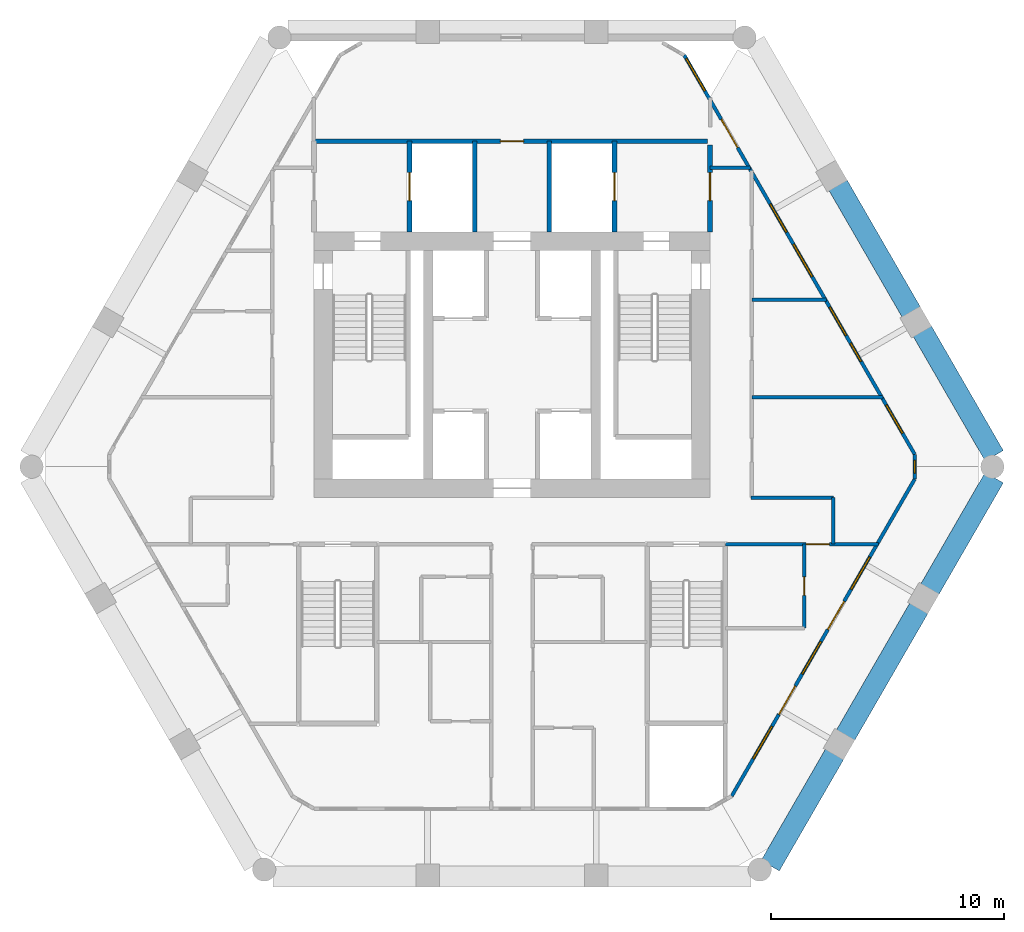
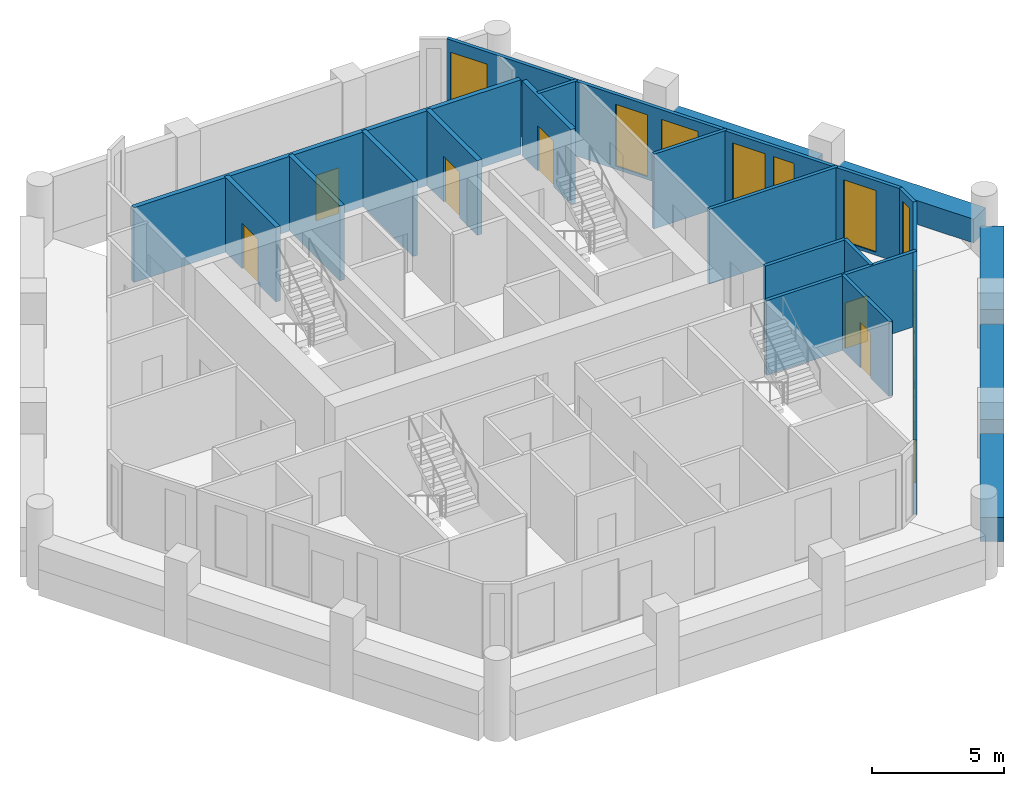
# One storey, part 5 of 7: 21 walls, 10 windows, 9 doors, 19 openings.
"""IFC4 building model written with IfcOpenShell, lengths in metres."""

from ifc_helpers import new_model, si_unit, direction, frame, frame_2d, origin, place, context, subcontext, project, spatial, rectangle, extrude, material, layer, layer_set, type_object, element, fill, save


model = new_model("IFC4")

# Units and contexts
model_context = context("Model", 3, precision=1e-05, world=origin(), true_north=direction((0.0, 1.0)))
body_context = subcontext(model_context, "Body", "Model", "MODEL_VIEW")
ifc_project = project(units=[si_unit("LENGTHUNIT", "METRE"), si_unit("AREAUNIT", "SQUARE_METRE"), si_unit("VOLUMEUNIT", "CUBIC_METRE"), si_unit("PLANEANGLEUNIT", "RADIAN"), si_unit("MASSUNIT", "GRAM", prefix="KILO")], contexts=[model_context])

# Site, building, storey
site_placement = place(None, origin())
site = spatial("IfcSite", under=ifc_project, at=site_placement, CompositionType="ELEMENT")
building_placement = place(site_placement, origin())
building = spatial("IfcBuilding", under=site, at=building_placement, Name="Ostrander Bayou Hotel Tower", CompositionType="ELEMENT")
storey_placement = place(building_placement, frame((0.0, 0.0, 168.25)))
storey = spatial("IfcBuildingStorey", under=building, at=storey_placement, Name="L41", CompositionType="ELEMENT", Elevation=168.25)

# Wall, openings, doors, windows
ifc_material_1 = material(Name="Aluminium framed insulated wall", Category="aluminium")
ifc_layer_1 = layer(ifc_material_1, 0.14990234375)
ifc_layer_set_1 = layer_set([ifc_layer_1], Name="GW1 glass-line wall 150 mm")
wall_type_1 = type_object("IfcWallType", Name="GW1 glass-line wall 150 mm", PredefinedType="SOLIDWALL", material=ifc_layer_set_1)
wall_1_placement = place(storey_placement, frame((9.430419921875, -14.51611328125, 0.0), z_axis=(0.0, 0.0, 1.0), x_axis=(0.500004460396, 0.866022828558, 0.0)))
wall_1 = element("IfcWall", 1, at=wall_1_placement, inside=storey, type_object=wall_type_1, Name="GW1 L41 SE 1", PredefinedType="SOLIDWALL", context=body_context, shape_type="SweptSolid", body=[
    extrude(rectangle(XDim=15.712158203125, YDim=0.14990234375, at=frame_2d((7.85595703125, 0.0))), origin(), (0.0, 0.0, 1.0), 3.449951171875),
])
opening_1_placement = place(wall_1_placement, frame((1.856201171875, 0.0, 0.14990234375)))
opening_1 = element("IfcOpeningElement", 2, at=opening_1_placement, cuts=wall_1, Name="Opening W3", PredefinedType="OPENING", context=body_context, shape_type="SweptSolid", body=[
    extrude(rectangle(XDim=1.60009765625, YDim=2.85009765625, at=frame_2d((0.800048828125, 1.425048828125))), frame((0.0, 0.074951171875, 0.0), z_axis=(0.0, -1.0, 0.0), x_axis=(1.0, 0.0, 0.0)), (0.0, 0.0, 1.0), 0.14990234375),
])
opening_2_placement = place(wall_1_placement, frame((4.05615234375, 0.0, 0.0)))
opening_2 = element("IfcOpeningElement", 3, at=opening_2_placement, cuts=wall_1, Name="Opening T41-804", PredefinedType="OPENING", context=body_context, shape_type="SweptSolid", body=[
    extrude(rectangle(XDim=1.39990234375, YDim=2.39990234375, at=frame_2d((0.699951171875, 1.199951171875))), frame((0.0, 0.074951171875, 0.0), z_axis=(0.0, -1.0, 0.0), x_axis=(1.0, 0.0, 0.0)), (0.0, 0.0, 1.0), 0.14990234375),
])
opening_3_placement = place(wall_1_placement, frame((6.05615234375, 0.0, 0.14990234375)))
opening_3 = element("IfcOpeningElement", 4, at=opening_3_placement, cuts=wall_1, Name="Opening W3", PredefinedType="OPENING", context=body_context, shape_type="SweptSolid", body=[
    extrude(rectangle(XDim=1.60009765625, YDim=2.85009765625, at=frame_2d((0.800048828125, 1.425048828125))), frame((0.0, 0.074951171875, 0.0), z_axis=(0.0, -1.0, 0.0), x_axis=(1.0, 0.0, 0.0)), (0.0, 0.0, 1.0), 0.14990234375),
])
opening_4_placement = place(wall_1_placement, frame((8.256103515625, 0.0, 0.0)))
opening_4 = element("IfcOpeningElement", 5, at=opening_4_placement, cuts=wall_1, Name="Opening T41-805", PredefinedType="OPENING", context=body_context, shape_type="SweptSolid", body=[
    extrude(rectangle(XDim=1.39990234375, YDim=2.39990234375, at=frame_2d((0.699951171875, 1.199951171875))), frame((0.0, 0.074951171875, 0.0), z_axis=(0.0, -1.0, 0.0), x_axis=(1.0, 0.0, 0.0)), (0.0, 0.0, 1.0), 0.14990234375),
])
opening_5_placement = place(wall_1_placement, frame((10.256103515625, 0.0, 0.14990234375)))
opening_5 = element("IfcOpeningElement", 6, at=opening_5_placement, cuts=wall_1, Name="Opening W3", PredefinedType="OPENING", context=body_context, shape_type="SweptSolid", body=[
    extrude(rectangle(XDim=1.60009765625, YDim=2.85009765625, at=frame_2d((0.800048828125, 1.425048828125))), frame((0.0, 0.074951171875, 0.0), z_axis=(0.0, -1.0, 0.0), x_axis=(1.0, 0.0, 0.0)), (0.0, 0.0, 1.0), 0.14990234375),
])
ifc_material_2 = material(Name="Aluminium and clear glass", Category="aluminium")
door_type_1 = type_object("IfcDoorType", Name="SD3 sliding glass door 1400 mm, zone 3", OperationType="SLIDING_TO_LEFT", PredefinedType="DOOR", material=ifc_material_2)
door_1_placement = place(opening_2_placement, origin())
door_1 = element("IfcDoor", 7, at=door_1_placement, inside=storey, type_object=door_type_1, Name="SD3 L41 SE 1", OperationType="SLIDING_TO_LEFT", OverallHeight=2.39990234375, OverallWidth=1.39990234375, PredefinedType="DOOR", context=body_context, shape_type="SweptSolid", body=[
    extrude(rectangle(XDim=1.39990234375, YDim=2.39990234375, at=frame_2d((0.699951171875, 1.199951171875))), frame((0.0, 0.02490234375, 0.0), z_axis=(0.0, -1.0, 0.0), x_axis=(1.0, 0.0, 0.0)), (0.0, 0.0, 1.0), 0.050048828125),
])
fill(opening_2, door_1)
door_2_placement = place(opening_4_placement, origin())
door_2 = element("IfcDoor", 8, at=door_2_placement, inside=storey, type_object=door_type_1, Name="SD3 L41 SE 2", OperationType="SLIDING_TO_RIGHT", OverallHeight=2.39990234375, OverallWidth=1.39990234375, PredefinedType="DOOR", context=body_context, shape_type="SweptSolid", body=[
    extrude(rectangle(XDim=1.39990234375, YDim=2.39990234375, at=frame_2d((0.699951171875, 1.199951171875))), frame((0.0, 0.02490234375, 0.0), z_axis=(0.0, -1.0, 0.0), x_axis=(1.0, 0.0, 0.0)), (0.0, 0.0, 1.0), 0.050048828125),
])
fill(opening_4, door_2)
ifc_material_3 = material(Name="Aluminium and clear glass", Category="aluminium")
window_type_1 = type_object("IfcWindowType", Name="W3 fixed window 1600 mm, zone 3", PartitioningType="SINGLE_PANEL", PredefinedType="WINDOW", material=ifc_material_3)
window_1_placement = place(opening_1_placement, origin())
window_1 = element("IfcWindow", 9, at=window_1_placement, inside=storey, type_object=window_type_1, Name="W3 L41 SE 1", OverallHeight=2.85009765625, OverallWidth=1.60009765625, PartitioningType="SINGLE_PANEL", PredefinedType="WINDOW", context=body_context, shape_type="SweptSolid", body=[
    extrude(rectangle(XDim=1.60009765625, YDim=2.85009765625, at=frame_2d((0.800048828125, 1.425048828125))), frame((0.0, 0.030029296875, 0.0), z_axis=(0.0, -1.0, 0.0), x_axis=(1.0, 0.0, 0.0)), (0.0, 0.0, 1.0), 0.06005859375),
])
fill(opening_1, window_1)
window_2_placement = place(opening_3_placement, origin())
window_2 = element("IfcWindow", 10, at=window_2_placement, inside=storey, type_object=window_type_1, Name="W3 L41 SE 2", OverallHeight=2.85009765625, OverallWidth=1.60009765625, PartitioningType="SINGLE_PANEL", PredefinedType="WINDOW", context=body_context, shape_type="SweptSolid", body=[
    extrude(rectangle(XDim=1.60009765625, YDim=2.85009765625, at=frame_2d((0.800048828125, 1.425048828125))), frame((0.0, 0.030029296875, 0.0), z_axis=(0.0, -1.0, 0.0), x_axis=(1.0, 0.0, 0.0)), (0.0, 0.0, 1.0), 0.06005859375),
])
fill(opening_3, window_2)
window_3_placement = place(opening_5_placement, origin())
window_3 = element("IfcWindow", 11, at=window_3_placement, inside=storey, type_object=window_type_1, Name="W3 L41 SE 3", OverallHeight=2.85009765625, OverallWidth=1.60009765625, PartitioningType="SINGLE_PANEL", PredefinedType="WINDOW", context=body_context, shape_type="SweptSolid", body=[
    extrude(rectangle(XDim=1.60009765625, YDim=2.85009765625, at=frame_2d((0.800048828125, 1.425048828125))), frame((0.0, 0.030029296875, 0.0), z_axis=(0.0, -1.0, 0.0), x_axis=(1.0, 0.0, 0.0)), (0.0, 0.0, 1.0), 0.06005859375),
])
fill(opening_5, window_3)

# Wall, openings, door, windows
wall_2_placement = place(storey_placement, frame((17.28662109375, 0.156005859375, 0.0), z_axis=(0.0, 0.0, 1.0), x_axis=(-0.500001917853, 0.866024296509, 0.0)))
wall_2 = element("IfcWall", 12, at=wall_2_placement, inside=storey, type_object=wall_type_1, Name="GW1 L41 NE 1", PredefinedType="SOLIDWALL", context=body_context, shape_type="SweptSolid", body=[
    extrude(rectangle(XDim=19.78759765625, YDim=0.14990234375, at=frame_2d((9.893798828125, 0.0))), origin(), (0.0, 0.0, 1.0), 3.449951171875),
])
opening_6_placement = place(wall_2_placement, frame((1.046142578125, 0.0, 0.14990234375)))
opening_6 = element("IfcOpeningElement", 13, at=opening_6_placement, cuts=wall_2, Name="Opening W13", PredefinedType="OPENING", context=body_context, shape_type="SweptSolid", body=[
    extrude(rectangle(XDim=1.39990234375, YDim=2.85009765625, at=frame_2d((0.699951171875, 1.425048828125))), frame((0.0, 0.074951171875, 0.0), z_axis=(0.0, -1.0, 0.0), x_axis=(1.0, 0.0, 0.0)), (0.0, 0.0, 1.0), 0.14990234375),
])
opening_7_placement = place(wall_2_placement, frame((4.608154296875, 0.0, 0.14990234375)))
opening_7 = element("IfcOpeningElement", 14, at=opening_7_placement, cuts=wall_2, Name="Opening W17", PredefinedType="OPENING", context=body_context, shape_type="SweptSolid", body=[
    extrude(rectangle(XDim=0.89990234375, YDim=2.85009765625, at=frame_2d((0.449951171875, 1.425048828125))), frame((0.0, 0.074951171875, 0.0), z_axis=(0.0, -1.0, 0.0), x_axis=(1.0, 0.0, 0.0)), (0.0, 0.0, 1.0), 0.14990234375),
])
opening_8_placement = place(wall_2_placement, frame((5.8955078125, 0.0, 0.14990234375)))
opening_8 = element("IfcOpeningElement", 15, at=opening_8_placement, cuts=wall_2, Name="Opening W13", PredefinedType="OPENING", context=body_context, shape_type="SweptSolid", body=[
    extrude(rectangle(XDim=1.39990234375, YDim=2.85009765625, at=frame_2d((0.699951171875, 1.425048828125))), frame((0.0, 0.074951171875, 0.0), z_axis=(0.0, -1.0, 0.0), x_axis=(1.0, 0.0, 0.0)), (0.0, 0.0, 1.0), 0.14990234375),
])
opening_9_placement = place(wall_2_placement, frame((8.80810546875, 0.0, 0.14990234375)))
opening_9 = element("IfcOpeningElement", 16, at=opening_9_placement, cuts=wall_2, Name="Opening W3", PredefinedType="OPENING", context=body_context, shape_type="SweptSolid", body=[
    extrude(rectangle(XDim=1.60009765625, YDim=2.85009765625, at=frame_2d((0.800048828125, 1.425048828125))), frame((0.0, 0.074951171875, 0.0), z_axis=(0.0, -1.0, 0.0), x_axis=(1.0, 0.0, 0.0)), (0.0, 0.0, 1.0), 0.14990234375),
])
opening_10_placement = place(wall_2_placement, frame((11.008056640625, 0.0, 0.14990234375)))
opening_10 = element("IfcOpeningElement", 17, at=opening_10_placement, cuts=wall_2, Name="Opening W13", PredefinedType="OPENING", context=body_context, shape_type="SweptSolid", body=[
    extrude(rectangle(XDim=1.39990234375, YDim=2.85009765625, at=frame_2d((0.699951171875, 1.425048828125))), frame((0.0, 0.074951171875, 0.0), z_axis=(0.0, -1.0, 0.0), x_axis=(1.0, 0.0, 0.0)), (0.0, 0.0, 1.0), 0.14990234375),
])
opening_11_placement = place(wall_2_placement, frame((15.2080078125, 0.0, 0.0)))
opening_11 = element("IfcOpeningElement", 18, at=opening_11_placement, cuts=wall_2, Name="Opening T41-806", PredefinedType="OPENING", context=body_context, shape_type="SweptSolid", body=[
    extrude(rectangle(XDim=1.39990234375, YDim=2.39990234375, at=frame_2d((0.699951171875, 1.199951171875))), frame((0.0, 0.074951171875, 0.0), z_axis=(0.0, -1.0, 0.0), x_axis=(1.0, 0.0, 0.0)), (0.0, 0.0, 1.0), 0.14990234375),
])
opening_12_placement = place(wall_2_placement, frame((18.019287109375, 0.0, 0.14990234375)))
opening_12 = element("IfcOpeningElement", 19, at=opening_12_placement, cuts=wall_2, Name="Opening W3", PredefinedType="OPENING", context=body_context, shape_type="SweptSolid", body=[
    extrude(rectangle(XDim=1.60009765625, YDim=2.72998046875, at=frame_2d((0.800048828125, 1.364990234375))), frame((0.0, 0.074951171875, 0.0), z_axis=(0.0, -1.0, 0.0), x_axis=(1.0, 0.0, 0.0)), (0.0, 0.0, 1.0), 0.14990234375),
])
door_3_placement = place(opening_11_placement, origin())
door_3 = element("IfcDoor", 20, at=door_3_placement, inside=storey, type_object=door_type_1, Name="SD3 L41 NE 4", OperationType="SLIDING_TO_RIGHT", OverallHeight=2.39990234375, OverallWidth=1.39990234375, PredefinedType="DOOR", context=body_context, shape_type="SweptSolid", body=[
    extrude(rectangle(XDim=1.39990234375, YDim=2.39990234375, at=frame_2d((0.699951171875, 1.199951171875))), frame((0.0, 0.02490234375, 0.0), z_axis=(0.0, -1.0, 0.0), x_axis=(1.0, 0.0, 0.0)), (0.0, 0.0, 1.0), 0.050048828125),
])
fill(opening_11, door_3)
ifc_material_4 = material(Name="Aluminium and clear glass", Category="aluminium")
window_type_2 = type_object("IfcWindowType", Name="W13 fixed window 1400 mm, bath bay, zone 3", PartitioningType="SINGLE_PANEL", PredefinedType="WINDOW", material=ifc_material_4)
window_4_placement = place(opening_6_placement, origin())
window_4 = element("IfcWindow", 21, at=window_4_placement, inside=storey, type_object=window_type_2, Name="W13 L41 NE 1", OverallHeight=2.85009765625, OverallWidth=1.39990234375, PartitioningType="SINGLE_PANEL", PredefinedType="WINDOW", context=body_context, shape_type="SweptSolid", body=[
    extrude(rectangle(XDim=1.39990234375, YDim=2.85009765625, at=frame_2d((0.699951171875, 1.425048828125))), frame((0.0, 0.030029296875, 0.0), z_axis=(0.0, -1.0, 0.0), x_axis=(1.0, 0.0, 0.0)), (0.0, 0.0, 1.0), 0.06005859375),
])
fill(opening_6, window_4)
window_5_placement = place(opening_8_placement, origin())
window_5 = element("IfcWindow", 22, at=window_5_placement, inside=storey, type_object=window_type_2, Name="W13 L41 NE 2", OverallHeight=2.85009765625, OverallWidth=1.39990234375, PartitioningType="SINGLE_PANEL", PredefinedType="WINDOW", context=body_context, shape_type="SweptSolid", body=[
    extrude(rectangle(XDim=1.39990234375, YDim=2.85009765625, at=frame_2d((0.699951171875, 1.425048828125))), frame((0.0, 0.030029296875, 0.0), z_axis=(0.0, -1.0, 0.0), x_axis=(1.0, 0.0, 0.0)), (0.0, 0.0, 1.0), 0.06005859375),
])
fill(opening_8, window_5)
window_6_placement = place(opening_10_placement, origin())
window_6 = element("IfcWindow", 23, at=window_6_placement, inside=storey, type_object=window_type_2, Name="W13 L41 NE 3", OverallHeight=2.85009765625, OverallWidth=1.39990234375, PartitioningType="SINGLE_PANEL", PredefinedType="WINDOW", context=body_context, shape_type="SweptSolid", body=[
    extrude(rectangle(XDim=1.39990234375, YDim=2.85009765625, at=frame_2d((0.699951171875, 1.425048828125))), frame((0.0, 0.030029296875, 0.0), z_axis=(0.0, -1.0, 0.0), x_axis=(1.0, 0.0, 0.0)), (0.0, 0.0, 1.0), 0.06005859375),
])
fill(opening_10, window_6)
ifc_material_5 = material(Name="Aluminium and clear glass", Category="aluminium")
window_type_3 = type_object("IfcWindowType", Name="W17 window 900 mm, zone 3", PartitioningType="SINGLE_PANEL", PredefinedType="WINDOW", material=ifc_material_5)
window_7_placement = place(opening_7_placement, origin())
window_7 = element("IfcWindow", 24, at=window_7_placement, inside=storey, type_object=window_type_3, Name="W17 L41 NE 2", OverallHeight=2.85009765625, OverallWidth=0.89990234375, PartitioningType="SINGLE_PANEL", PredefinedType="WINDOW", context=body_context, shape_type="SweptSolid", body=[
    extrude(rectangle(XDim=0.89990234375, YDim=2.85009765625, at=frame_2d((0.449951171875, 1.425048828125))), frame((0.0, 0.030029296875, 0.0), z_axis=(0.0, -1.0, 0.0), x_axis=(1.0, 0.0, 0.0)), (0.0, 0.0, 1.0), 0.06005859375),
])
fill(opening_7, window_7)
window_8_placement = place(opening_9_placement, origin())
window_8 = element("IfcWindow", 25, at=window_8_placement, inside=storey, type_object=window_type_1, Name="W3 L41 NE 3", OverallHeight=2.85009765625, OverallWidth=1.60009765625, PartitioningType="SINGLE_PANEL", PredefinedType="WINDOW", context=body_context, shape_type="SweptSolid", body=[
    extrude(rectangle(XDim=1.60009765625, YDim=2.85009765625, at=frame_2d((0.800048828125, 1.425048828125))), frame((0.0, 0.030029296875, 0.0), z_axis=(0.0, -1.0, 0.0), x_axis=(1.0, 0.0, 0.0)), (0.0, 0.0, 1.0), 0.06005859375),
])
fill(opening_9, window_8)
window_9_placement = place(opening_12_placement, origin())
window_9 = element("IfcWindow", 26, at=window_9_placement, inside=storey, type_object=window_type_1, Name="W3 L41 NE E22", OverallHeight=2.72998046875, OverallWidth=1.60009765625, PartitioningType="SINGLE_PANEL", PredefinedType="WINDOW", context=body_context, shape_type="SweptSolid", body=[
    extrude(rectangle(XDim=1.60009765625, YDim=2.72998046875, at=frame_2d((0.800048828125, 1.364990234375))), frame((0.0, 0.030029296875, 0.0), z_axis=(0.0, -1.0, 0.0), x_axis=(1.0, 0.0, 0.0)), (0.0, 0.0, 1.0), 0.06005859375),
])
fill(opening_12, window_9)

# Wall, opening, window
wall_3_placement = place(storey_placement, frame((17.28662109375, -0.908935546875, 0.0), z_axis=(0.0, 0.0, 1.0), x_axis=(0.0, 1.0, 0.0)))
wall_3 = element("IfcWall", 27, at=wall_3_placement, inside=storey, type_object=wall_type_1, Name="GW1 L41 corner 5", PredefinedType="SOLIDWALL", context=body_context, shape_type="SweptSolid", body=[
    extrude(rectangle(XDim=1.06494140625, YDim=0.14990234375, at=frame_2d((0.532470703125, 0.0))), origin(), (0.0, 0.0, 1.0), 3.449951171875),
])
opening_13_placement = place(wall_3_placement, frame((0.257568359375, 0.0, 0.14990234375)))
opening_13 = element("IfcOpeningElement", 28, at=opening_13_placement, cuts=wall_3, Name="Opening W19", PredefinedType="OPENING", context=body_context, shape_type="SweptSolid", body=[
    extrude(rectangle(XDim=0.550048828125, YDim=2.85009765625, at=frame_2d((0.27490234375, 1.425048828125))), frame((0.0, 0.074951171875, 0.0), z_axis=(0.0, -1.0, 0.0), x_axis=(1.0, 0.0, 0.0)), (0.0, 0.0, 1.0), 0.14990234375),
])
ifc_material_6 = material(Name="Aluminium and clear glass", Category="aluminium")
window_type_4 = type_object("IfcWindowType", Name="W19 corner window 550 mm", PartitioningType="SINGLE_PANEL", PredefinedType="WINDOW", material=ifc_material_6)
window_10_placement = place(opening_13_placement, origin())
window_10 = element("IfcWindow", 29, at=window_10_placement, inside=storey, type_object=window_type_4, Name="W19 L41 corner 5", OverallHeight=2.85009765625, OverallWidth=0.550048828125, PartitioningType="SINGLE_PANEL", PredefinedType="WINDOW", context=body_context, shape_type="SweptSolid", body=[
    extrude(rectangle(XDim=0.550048828125, YDim=2.85009765625, at=frame_2d((0.27490234375, 1.425048828125))), frame((0.0, 0.030029296875, 0.0), z_axis=(0.0, -1.0, 0.0), x_axis=(1.0, 0.0, 0.0)), (0.0, 0.0, 1.0), 0.06005859375),
])
fill(opening_13, window_10)

# Walls
ifc_material_7 = material(Name="Concrete f'c 40 MPa", Category="concrete")
ifc_layer_2 = layer(ifc_material_7, 0.89990234375)
ifc_layer_set_2 = layer_set([ifc_layer_2], Name="PA1 stone-faced parapet 900 mm")
wall_type_2 = type_object("IfcWallType", Name="PA1 stone-faced parapet 900 mm", PredefinedType="PARAPET", material=ifc_layer_set_2)
wall_4_placement = place(storey_placement, frame((20.7001953125, 0.09326171875, 0.0), z_axis=(0.0, 0.0, 1.0), x_axis=(-0.500000533151, 0.866025095969, 0.0)))
element("IfcWall", 30, at=wall_4_placement, inside=storey, type_object=wall_type_2, Name="PA1 L41 NE-1", PredefinedType="PARAPET", context=body_context, shape_type="SweptSolid", body=[
    extrude(rectangle(XDim=6.18115234375, YDim=0.89990234375, at=frame_2d((3.090576171875, 0.0))), origin(), (0.0, 0.0, 1.0), 1.10009765625),
])
wall_5_placement = place(storey_placement, frame((17.1396484375, 6.260498046875, 0.0), z_axis=(0.0, 0.0, 1.0), x_axis=(-0.499984268907, 0.866034485945, 0.0)))
element("IfcWall", 31, at=wall_5_placement, inside=storey, type_object=wall_type_2, Name="PA1 L41 NE-2", PredefinedType="PARAPET", context=body_context, shape_type="SweptSolid", body=[
    extrude(rectangle(XDim=6.296142578125, YDim=0.89990234375, at=frame_2d((3.14794921875, 0.0))), origin(), (0.0, 0.0, 1.0), 1.10009765625),
])
ifc_material_8 = material(Name="Limestone masonry", Category="masonry")
ifc_layer_3 = layer(ifc_material_8, 0.89990234375)
ifc_layer_set_3 = layer_set([ifc_layer_3], Name="PA2 limestone parapet 900 mm")
wall_type_3 = type_object("IfcWallType", Name="PA2 limestone parapet 900 mm", PredefinedType="PARAPET", material=ifc_layer_set_3)
wall_6_placement = place(storey_placement, frame((11.0830078125, -17.50390625, 0.0), z_axis=(0.0, 0.0, 1.0), x_axis=(0.499961976493, 0.866047355554, 0.0)))
element("IfcWall", 32, at=wall_6_placement, inside=storey, type_object=wall_type_3, Name="PA2 L41 SE-1", PredefinedType="PARAPET", context=body_context, shape_type="SweptSolid", body=[
    extrude(rectangle(XDim=5.529296875, YDim=0.89990234375, at=frame_2d((2.7646484375, 0.0))), origin(), (0.0, 0.0, 1.0), 1.10009765625),
])
wall_7_placement = place(storey_placement, frame((14.3173828125, -11.9013671875, 0.0), z_axis=(0.0, 0.0, 1.0), x_axis=(0.500013351051, 0.866017695414, 0.0)))
element("IfcWall", 33, at=wall_7_placement, inside=storey, type_object=wall_type_3, Name="PA2 L41 SE-2", PredefinedType="PARAPET", context=body_context, shape_type="SweptSolid", body=[
    extrude(rectangle(XDim=6.296142578125, YDim=0.89990234375, at=frame_2d((3.14794921875, 0.0))), origin(), (0.0, 0.0, 1.0), 1.10009765625),
])
wall_8_placement = place(storey_placement, frame((17.935546875, -5.634521484375, 0.0), z_axis=(0.0, 0.0, 1.0), x_axis=(0.500014212531, 0.86601719802, 0.0)))
element("IfcWall", 34, at=wall_8_placement, inside=storey, type_object=wall_type_3, Name="PA2 L41 SE-3", PredefinedType="PARAPET", context=body_context, shape_type="SweptSolid", body=[
    extrude(rectangle(XDim=5.529052734375, YDim=0.89990234375, at=frame_2d((2.7646484375, 0.0))), origin(), (0.0, 0.0, 1.0), 1.10009765625),
])

# Wall, opening, door
ifc_material_9 = material(Name="Masonry block", Category="masonry")
ifc_layer_4 = layer(ifc_material_9, 0.199951171875)
ifc_layer_set_4 = layer_set([ifc_layer_4], Name="PT5 stair enclosure wall 200 mm masonry, 2 hour")
wall_type_4 = type_object("IfcWallType", Name="PT5 stair enclosure wall 200 mm masonry, 2 hour", PredefinedType="PARTITIONING", material=ifc_layer_set_4)
wall_9_placement = place(storey_placement, frame((-8.5, 13.60009765625, 0.0), z_axis=(0.0, 0.0, 1.0), x_axis=(1.0, 0.0, 0.0)))
wall_9 = element("IfcWall", 35, at=wall_9_placement, inside=storey, type_object=wall_type_4, Name="cs:L41:023", PredefinedType="PARTITIONING", context=body_context, shape_type="SweptSolid", body=[
    extrude(rectangle(XDim=16.898681640625, YDim=0.199951171875, at=frame_2d((8.44921875, 0.0))), origin(), (0.0, 0.0, 1.0), 3.449951171875),
])
opening_14_placement = place(wall_9_placement, frame((8.0, 0.0, 0.0)))
opening_14 = element("IfcOpeningElement", 36, at=opening_14_placement, cuts=wall_9, Name="Opening T41-017", PredefinedType="OPENING", context=body_context, shape_type="SweptSolid", body=[
    extrude(rectangle(XDim=1.0, YDim=2.10009765625, at=frame_2d((0.5, 1.050048828125))), frame((0.0, 0.10009765625, 0.0), z_axis=(0.0, -1.0, 0.0), x_axis=(1.0, 0.0, 0.0)), (0.0, 0.0, 1.0), 0.199951171875),
])
ifc_material_10 = material(Name="Timber door leaf", Category="wood")
door_type_2 = type_object("IfcDoorType", Name="D9 service door 1000 x 2100 mm, 30 minute", OperationType="SINGLE_SWING_LEFT", PredefinedType="DOOR", material=ifc_material_10)
door_4_placement = place(opening_14_placement, origin())
door_4 = element("IfcDoor", 37, at=door_4_placement, inside=storey, type_object=door_type_2, Name="dr:L41:017", OperationType="SINGLE_SWING_LEFT", OverallHeight=2.10009765625, OverallWidth=1.0, PredefinedType="DOOR", context=body_context, shape_type="SweptSolid", body=[
    extrude(rectangle(XDim=1.0, YDim=2.10009765625, at=frame_2d((0.5, 1.050048828125))), frame((0.0, 0.02490234375, 0.0), z_axis=(0.0, -1.0, 0.0), x_axis=(1.0, 0.0, 0.0)), (0.0, 0.0, 1.0), 0.050048828125),
])
fill(opening_14, door_4)

wall_10_placement = place(storey_placement, frame((8.5, 9.699951171875, 0.0), z_axis=(0.0, 0.0, 1.0), x_axis=(0.0, 1.0, 0.0)))
wall_10 = element("IfcWall", 38, at=wall_10_placement, inside=storey, type_object=wall_type_4, Name="cs:L41:025", PredefinedType="PARTITIONING", context=body_context, shape_type="SweptSolid", body=[
    extrude(rectangle(XDim=3.724853515625, YDim=0.199951171875, at=frame_2d((1.8623046875, 0.0))), origin(), (0.0, 0.0, 1.0), 3.449951171875),
])
opening_15_placement = place(wall_10_placement, frame((1.35009765625, 0.0, 0.0)))
opening_15 = element("IfcOpeningElement", 39, at=opening_15_placement, cuts=wall_10, Name="Opening T41-016", PredefinedType="OPENING", context=body_context, shape_type="SweptSolid", body=[
    extrude(rectangle(XDim=1.199951171875, YDim=2.10009765625, at=frame_2d((0.60009765625, 1.050048828125))), frame((0.0, 0.10009765625, 0.0), z_axis=(0.0, -1.0, 0.0), x_axis=(1.0, 0.0, 0.0)), (0.0, 0.0, 1.0), 0.199951171875),
])
ifc_material_11 = material(Name="Timber door leaf", Category="wood")
door_type_3 = type_object("IfcDoorType", Name="D7 lobby door 1200 x 2100 mm, 1 hour", OperationType="SINGLE_SWING_LEFT", PredefinedType="DOOR", material=ifc_material_11)
door_5_placement = place(opening_15_placement, origin())
door_5 = element("IfcDoor", 40, at=door_5_placement, inside=storey, type_object=door_type_3, Name="dr:L41:016", OperationType="SINGLE_SWING_LEFT", OverallHeight=2.10009765625, OverallWidth=1.199951171875, PredefinedType="DOOR", context=body_context, shape_type="SweptSolid", body=[
    extrude(rectangle(XDim=1.199951171875, YDim=2.10009765625, at=frame_2d((0.60009765625, 1.050048828125))), frame((0.0, 0.02490234375, 0.0), z_axis=(0.0, -1.0, 0.0), x_axis=(1.0, 0.0, 0.0)), (0.0, 0.0, 1.0), 0.050048828125),
])
fill(opening_15, door_5)

wall_11_placement = place(storey_placement, frame((-4.39990234375, 9.699951171875, 0.0), z_axis=(0.0, 0.0, 1.0), x_axis=(0.0, 1.0, 0.0)))
wall_11 = element("IfcWall", 41, at=wall_11_placement, inside=storey, type_object=wall_type_4, Name="cs:L41:026", PredefinedType="PARTITIONING", context=body_context, shape_type="SweptSolid", body=[
    extrude(rectangle(XDim=3.900146484375, YDim=0.199951171875, at=frame_2d((1.9501953125, 0.0))), origin(), (0.0, 0.0, 1.0), 3.449951171875),
])
opening_16_placement = place(wall_11_placement, frame((1.35009765625, 0.0, 0.0)))
opening_16 = element("IfcOpeningElement", 42, at=opening_16_placement, cuts=wall_11, Name="Opening T41-013", PredefinedType="OPENING", context=body_context, shape_type="SweptSolid", body=[
    extrude(rectangle(XDim=1.199951171875, YDim=2.10009765625, at=frame_2d((0.60009765625, 1.050048828125))), frame((0.0, 0.10009765625, 0.0), z_axis=(0.0, -1.0, 0.0), x_axis=(1.0, 0.0, 0.0)), (0.0, 0.0, 1.0), 0.199951171875),
])
ifc_material_12 = material(Name="Stainless steel sliding door", Category="steel")
door_type_4 = type_object("IfcDoorType", Name="LD1 lift landing door 1200 x 2100 mm", OperationType="SINGLE_SWING_LEFT", PredefinedType="DOOR", material=ifc_material_12)
door_6_placement = place(opening_16_placement, origin())
door_6 = element("IfcDoor", 43, at=door_6_placement, inside=storey, type_object=door_type_4, Name="dr:L41:013", OperationType="SLIDING_TO_LEFT", OverallHeight=2.10009765625, OverallWidth=1.199951171875, PredefinedType="DOOR", context=body_context, shape_type="SweptSolid", body=[
    extrude(rectangle(XDim=1.199951171875, YDim=2.10009765625, at=frame_2d((0.60009765625, 1.050048828125))), frame((0.0, 0.02490234375, 0.0), z_axis=(0.0, -1.0, 0.0), x_axis=(1.0, 0.0, 0.0)), (0.0, 0.0, 1.0), 0.050048828125),
])
fill(opening_16, door_6)

wall_12_placement = place(storey_placement, frame((4.39990234375, 9.699951171875, 0.0), z_axis=(0.0, 0.0, 1.0), x_axis=(0.0, 1.0, 0.0)))
wall_12 = element("IfcWall", 44, at=wall_12_placement, inside=storey, type_object=wall_type_4, Name="cs:L41:027", PredefinedType="PARTITIONING", context=body_context, shape_type="SweptSolid", body=[
    extrude(rectangle(XDim=3.900146484375, YDim=0.199951171875, at=frame_2d((1.9501953125, 0.0))), origin(), (0.0, 0.0, 1.0), 3.449951171875),
])
opening_17_placement = place(wall_12_placement, frame((1.35009765625, 0.0, 0.0)))
opening_17 = element("IfcOpeningElement", 45, at=opening_17_placement, cuts=wall_12, Name="Opening T41-015", PredefinedType="OPENING", context=body_context, shape_type="SweptSolid", body=[
    extrude(rectangle(XDim=1.199951171875, YDim=2.10009765625, at=frame_2d((0.60009765625, 1.050048828125))), frame((0.0, 0.10009765625, 0.0), z_axis=(0.0, -1.0, 0.0), x_axis=(1.0, 0.0, 0.0)), (0.0, 0.0, 1.0), 0.199951171875),
])
door_7_placement = place(opening_17_placement, origin())
door_7 = element("IfcDoor", 46, at=door_7_placement, inside=storey, type_object=door_type_4, Name="dr:L41:015", OperationType="SLIDING_TO_LEFT", OverallHeight=2.10009765625, OverallWidth=1.199951171875, PredefinedType="DOOR", context=body_context, shape_type="SweptSolid", body=[
    extrude(rectangle(XDim=1.199951171875, YDim=2.10009765625, at=frame_2d((0.60009765625, 1.050048828125))), frame((0.0, 0.02490234375, 0.0), z_axis=(0.0, -1.0, 0.0), x_axis=(1.0, 0.0, 0.0)), (0.0, 0.0, 1.0), 0.050048828125),
])
fill(opening_17, door_7)

# Walls
ifc_material_13 = material(Name="Masonry block", Category="masonry")
ifc_layer_5 = layer(ifc_material_13, 0.199951171875)
ifc_layer_set_5 = layer_set([ifc_layer_5], Name="PT6 lift shaft wall 200 mm masonry, 2 hour")
wall_type_5 = type_object("IfcWallType", Name="PT6 lift shaft wall 200 mm masonry, 2 hour", PredefinedType="PARTITIONING", material=ifc_layer_set_5)
for number, where, z_axis, x_axis, name in (
    (47, (-1.60009765625, 9.699951171875, 0.0), (0.0, 0.0, 1.0), (0.0, 1.0, 0.0), "cs:L41:028"),
    (48, (1.60009765625, 9.699951171875, 0.0), (0.0, 0.0, 1.0), (0.0, 1.0, 0.0), "cs:L41:029"),
):
    element("IfcWall", number, at=place(storey_placement, frame(where, z_axis=z_axis, x_axis=x_axis)), inside=storey, type_object=wall_type_5, Name=name, PredefinedType="PARTITIONING", context=body_context, shape_type="SweptSolid", body=[
        extrude(rectangle(XDim=3.900146484375, YDim=0.199951171875, at=frame_2d((1.9501953125, 0.0))), origin(), (0.0, 0.0, 1.0), 3.449951171875),
    ])

# Wall, opening, door
ifc_material_14 = material(Name="Gypsum board partition", Category="finish")
ifc_layer_6 = layer(ifc_material_14, 0.14990234375)
ifc_layer_set_6 = layer_set([ifc_layer_6], Name="PT8 service band wall 150 mm, 1 hour")
wall_type_6 = type_object("IfcWallType", Name="PT8 service band wall 150 mm, 1 hour", PredefinedType="PARTITIONING", material=ifc_layer_set_6)
wall_13_placement = place(storey_placement, frame((9.159912109375, -3.699951171875, 0.0), z_axis=(0.0, 0.0, 1.0), x_axis=(1.0, 0.0, 0.0)))
wall_13 = element("IfcWall", 49, at=wall_13_placement, inside=storey, type_object=wall_type_6, Name="gw:L41:013", PredefinedType="PARTITIONING", context=body_context, shape_type="SweptSolid", body=[
    extrude(rectangle(XDim=6.567138671875, YDim=0.14990234375, at=frame_2d((3.28369140625, 0.0))), origin(), (0.0, 0.0, 1.0), 3.449951171875),
])
opening_18_placement = place(wall_13_placement, frame((3.465087890625, 0.0, 0.0)))
opening_18 = element("IfcOpeningElement", 50, at=opening_18_placement, cuts=wall_13, Name="Opening T41-410", PredefinedType="OPENING", context=body_context, shape_type="SweptSolid", body=[
    extrude(rectangle(XDim=1.0, YDim=2.10009765625, at=frame_2d((0.5, 1.050048828125))), frame((0.0, 0.074951171875, 0.0), z_axis=(0.0, -1.0, 0.0), x_axis=(1.0, 0.0, 0.0)), (0.0, 0.0, 1.0), 0.14990234375),
])
ifc_material_15 = material(Name="Timber door leaf", Category="wood")
door_type_5 = type_object("IfcDoorType", Name="D1 guest room door 1000 x 2100 mm, 30 minute", OperationType="SINGLE_SWING_LEFT", PredefinedType="DOOR", material=ifc_material_15)
door_8_placement = place(opening_18_placement, origin())
door_8 = element("IfcDoor", 51, at=door_8_placement, inside=storey, type_object=door_type_5, Name="dr:L41:410", OperationType="SINGLE_SWING_RIGHT", OverallHeight=2.10009765625, OverallWidth=1.0, PredefinedType="DOOR", context=body_context, shape_type="SweptSolid", body=[
    extrude(rectangle(XDim=1.0, YDim=2.10009765625, at=frame_2d((0.5, 1.050048828125))), frame((0.0, 0.02490234375, 0.0), z_axis=(0.0, -1.0, 0.0), x_axis=(1.0, 0.0, 0.0)), (0.0, 0.0, 1.0), 0.050048828125),
])
fill(opening_18, door_8)

# Walls
wall_14_placement = place(storey_placement, frame((10.260009765625, -1.699951171875, 0.0), z_axis=(0.0, 0.0, 1.0), x_axis=(1.0, 0.0, 0.0)))
element("IfcWall", 52, at=wall_14_placement, inside=storey, type_object=wall_type_6, Name="gw:L41:015", PredefinedType="PARTITIONING", context=body_context, shape_type="SweptSolid", body=[
    extrude(rectangle(XDim=3.5400390625, YDim=0.14990234375, at=frame_2d((1.77001953125, 0.0))), origin(), (0.0, 0.0, 1.0), 3.449951171875),
])
wall_15_placement = place(storey_placement, frame((10.300048828125, 2.60009765625, 0.0), z_axis=(0.0, 0.0, 1.0), x_axis=(1.0, 0.0, 0.0)))
element("IfcWall", 53, at=wall_15_placement, inside=storey, type_object=wall_type_6, Name="gw:L41:017", PredefinedType="PARTITIONING", context=body_context, shape_type="SweptSolid", body=[
    extrude(rectangle(XDim=5.626953125, YDim=0.14990234375, at=frame_2d((2.8134765625, 0.0))), origin(), (0.0, 0.0, 1.0), 3.449951171875),
])
wall_16_placement = place(storey_placement, frame((10.300048828125, 6.800048828125, 0.0), z_axis=(0.0, 0.0, 1.0), x_axis=(1.0, 0.0, 0.0)))
element("IfcWall", 54, at=wall_16_placement, inside=storey, type_object=wall_type_6, Name="gw:L41:019", PredefinedType="PARTITIONING", context=body_context, shape_type="SweptSolid", body=[
    extrude(rectangle(XDim=3.202880859375, YDim=0.14990234375, at=frame_2d((1.6015625, 0.0))), origin(), (0.0, 0.0, 1.0), 3.449951171875),
])
wall_17_placement = place(storey_placement, frame((8.510009765625, 12.449951171875, 0.0), z_axis=(0.0, 0.0, 1.0), x_axis=(1.0, 0.0, 0.0)))
element("IfcWall", 55, at=wall_17_placement, inside=storey, type_object=wall_type_6, Name="gw:L41:022", PredefinedType="PARTITIONING", context=body_context, shape_type="SweptSolid", body=[
    extrude(rectangle(XDim=1.73095703125, YDim=0.14990234375, at=frame_2d((0.865478515625, 0.0))), origin(), (0.0, 0.0, 1.0), 3.449951171875),
])
wall_18_placement = place(storey_placement, frame((13.800048828125, -3.699951171875, 0.0), z_axis=(0.0, 0.0, 1.0), x_axis=(0.0, 1.0, 0.0)))
element("IfcWall", 56, at=wall_18_placement, inside=storey, type_object=wall_type_6, Name="gw:L41:023", PredefinedType="PARTITIONING", context=body_context, shape_type="SweptSolid", body=[
    extrude(rectangle(XDim=2.0, YDim=0.14990234375, at=frame_2d((1.0, 0.0))), origin(), (0.0, 0.0, 1.0), 3.449951171875),
])

# Wall, opening, door
wall_19_placement = place(storey_placement, frame((12.550048828125, -7.300048828125, 0.0), z_axis=(0.0, 0.0, 1.0), x_axis=(0.0, 1.0, 0.0)))
wall_19 = element("IfcWall", 57, at=wall_19_placement, inside=storey, type_object=wall_type_6, Name="gw:L41:024", PredefinedType="PARTITIONING", context=body_context, shape_type="SweptSolid", body=[
    extrude(rectangle(XDim=3.60009765625, YDim=0.14990234375, at=frame_2d((1.800048828125, 0.0))), origin(), (0.0, 0.0, 1.0), 3.449951171875),
])
opening_19_placement = place(wall_19_placement, frame((1.39990234375, 0.0, 0.0)))
opening_19 = element("IfcOpeningElement", 58, at=opening_19_placement, cuts=wall_19, Name="Opening T41-411", PredefinedType="OPENING", context=body_context, shape_type="SweptSolid", body=[
    extrude(rectangle(XDim=0.800048828125, YDim=2.10009765625, at=frame_2d((0.39990234375, 1.050048828125))), frame((0.0, 0.074951171875, 0.0), z_axis=(0.0, -1.0, 0.0), x_axis=(1.0, 0.0, 0.0)), (0.0, 0.0, 1.0), 0.14990234375),
])
ifc_material_16 = material(Name="Timber door leaf", Category="wood")
door_type_6 = type_object("IfcDoorType", Name="D2 bathroom door 800 x 2100 mm", OperationType="SINGLE_SWING_LEFT", PredefinedType="DOOR", material=ifc_material_16)
door_9_placement = place(opening_19_placement, origin())
door_9 = element("IfcDoor", 59, at=door_9_placement, inside=storey, type_object=door_type_6, Name="dr:L41:411", OperationType="SINGLE_SWING_RIGHT", OverallHeight=2.10009765625, OverallWidth=0.800048828125, PredefinedType="DOOR", context=body_context, shape_type="SweptSolid", body=[
    extrude(rectangle(XDim=0.800048828125, YDim=2.10009765625, at=frame_2d((0.39990234375, 1.050048828125))), frame((0.0, 0.02490234375, 0.0), z_axis=(0.0, -1.0, 0.0), x_axis=(1.0, 0.0, 0.0)), (0.0, 0.0, 1.0), 0.050048828125),
])
fill(opening_19, door_9)

save(model, "model.ifc")
